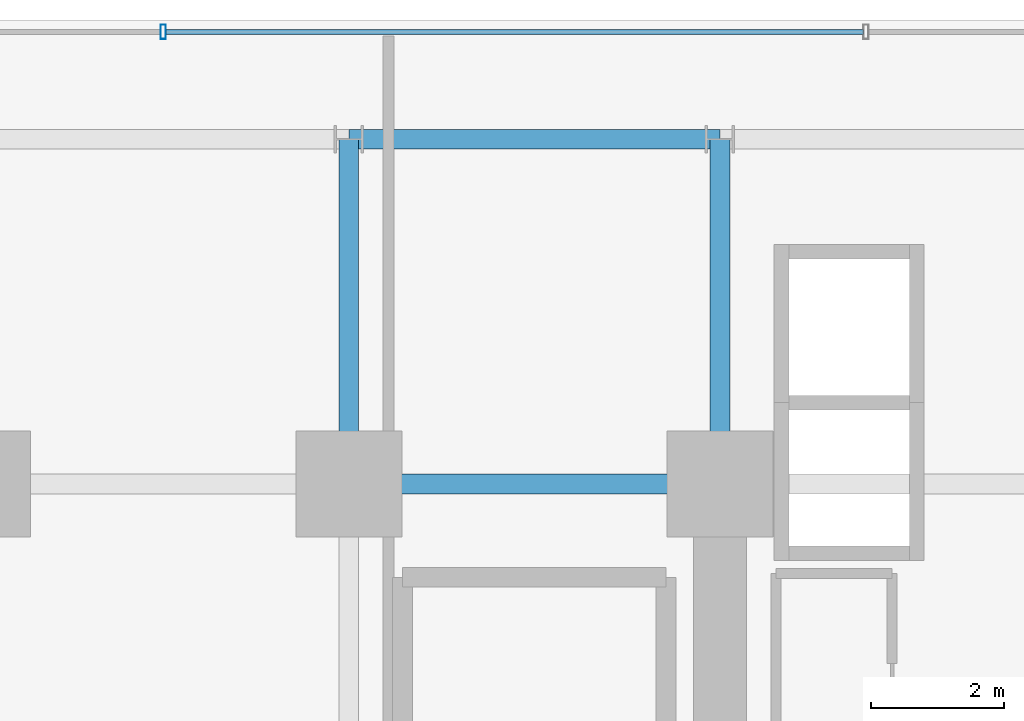
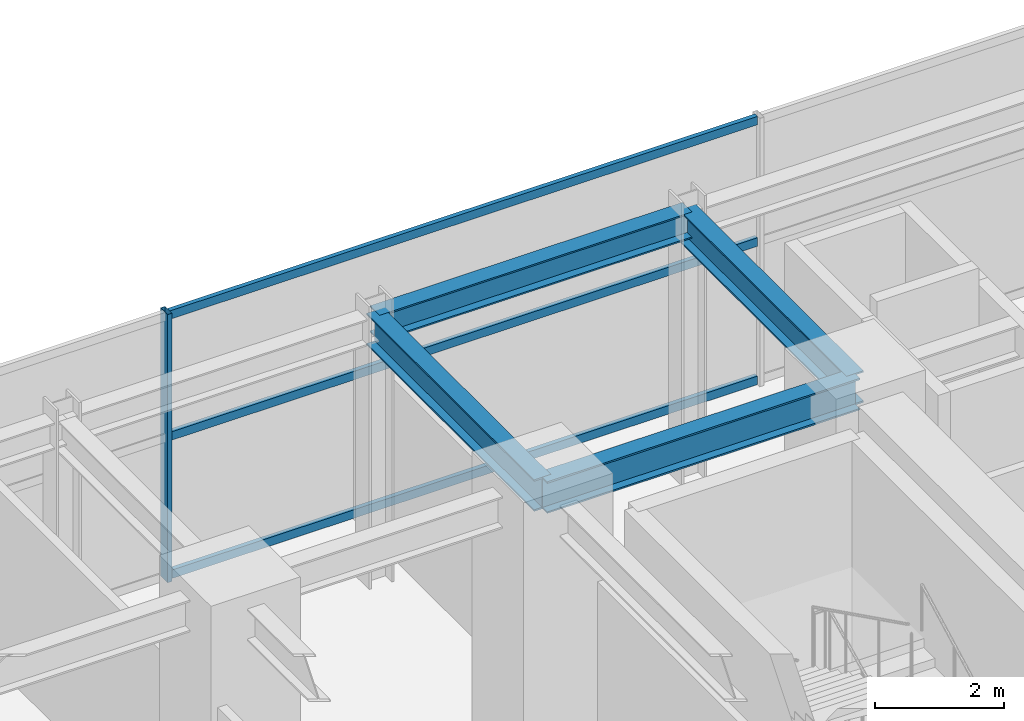
# One storey, part 18 of 32: 4 beams, 4 members, 1 element without a shape of its own.
"""IFC4 building model written with IfcOpenShell, lengths in metres."""

import ifcopenshell
import ifcopenshell.guid

model = None  # the IFC model being written
_history = None  # IfcOwnerHistory: only IFC2X3 demands one
_inside = {}  # id of a spatial element -> (the spatial element, [elements in it])
_under = {}  # id of a project, library or spatial element -> (it, [spatial elements below it])
_declared = {}  # id of a project -> (the project, [libraries it declares])
_typed = {}  # id of a type object -> (the type object, [elements of that type])
_made_of = {}  # id of a material, layer set ... -> (it, [elements and type objects made of it])


def new_model(schema):
    """Start an empty IFC model of exactly this schema.

    Asked for "IFC4X3", IfcOpenShell would pick the latest addendum, in which some entities
    have other attributes; the version numbers below select the first issue.
    IFC2X3 requires an IfcOwnerHistory on every rooted entity: one is made here for all.
    """
    global model, _history
    if schema == "IFC4X3":
        model = ifcopenshell.file(schema_version=(4, 3, 0, 0))
    else:
        model = ifcopenshell.file(schema=schema)
    _inside.clear()
    _under.clear()
    _declared.clear()
    _typed.clear()
    _made_of.clear()
    _history = None
    if model.schema == "IFC2X3":
        org = make("IfcOrganization", Name="unknown")
        user = make(
            "IfcPersonAndOrganization",
            ThePerson=make("IfcPerson", FamilyName="unknown"),
            TheOrganization=org,
        )
        app = make(
            "IfcApplication",
            ApplicationDeveloper=org,
            Version="unknown",
            ApplicationFullName="unknown",
            ApplicationIdentifier="unknown",
        )
        _history = make(
            "IfcOwnerHistory",
            OwningUser=user,
            OwningApplication=app,
            ChangeAction="ADDED",
            CreationDate=0,
        )
    return model


def make(cls, **values):
    """One entity of the class cls with the attributes given. An attribute that is None is left unset."""
    return model.create_entity(
        cls, **{name: value for name, value in values.items() if value is not None}
    )


def rooted(cls, **values):
    """An entity with a GlobalId (a new one), such as an element, a storey or a relation."""
    return make(cls, GlobalId=ifcopenshell.guid.new(), OwnerHistory=_history, **values)


def si_unit(unit_type, name, prefix=None):
    """IfcSIUnit, for example si_unit("LENGTHUNIT", "METRE", prefix="MILLI")."""
    return make("IfcSIUnit", UnitType=unit_type, Prefix=prefix, Name=name)


def assignment(units):
    """IfcUnitAssignment: the units of a project."""
    return None if units is None else make("IfcUnitAssignment", Units=units)


def point(xyz):
    """IfcCartesianPoint."""
    return None if xyz is None else make("IfcCartesianPoint", Coordinates=xyz)


def direction(xyz):
    """IfcDirection."""
    return None if xyz is None else make("IfcDirection", DirectionRatios=xyz)


def frame(location, z_axis=None, x_axis=None):
    """IfcAxis2Placement3D, a coordinate frame: its origin and axes. An axis left out is left unset."""
    return make(
        "IfcAxis2Placement3D",
        Location=point(location),
        Axis=direction(z_axis),
        RefDirection=direction(x_axis),
    )


def frame_2d(location, x_axis=None):
    """IfcAxis2Placement2D, a coordinate frame in the plane: its origin and x axis."""
    return make(
        "IfcAxis2Placement2D", Location=point(location), RefDirection=direction(x_axis)
    )


def origin():
    """The frame at (0, 0, 0) with its axes left unset."""
    return frame((0.0, 0.0, 0.0))


def origin_2d():
    """The frame at (0, 0) in the plane with its x axis left unset."""
    return frame_2d((0.0, 0.0))


def place(relative_to, where):
    """IfcLocalPlacement: puts the frame where relative to a parent placement (None: the world)."""
    return make(
        "IfcLocalPlacement", PlacementRelTo=relative_to, RelativePlacement=where
    )


def context(
    kind, dimensions, precision=None, world=None, true_north=None, identifier=None
):
    """IfcGeometricRepresentationContext, for example the 3D "Model" context."""
    return make(
        "IfcGeometricRepresentationContext",
        ContextIdentifier=identifier,
        ContextType=kind,
        CoordinateSpaceDimension=dimensions,
        Precision=precision,
        WorldCoordinateSystem=world,
        TrueNorth=true_north,
    )


def subcontext(parent, identifier, kind, view, scale=None):
    """IfcGeometricRepresentationSubContext, for example "Body" below "Model"."""
    return make(
        "IfcGeometricRepresentationSubContext",
        ContextIdentifier=identifier,
        ContextType=kind,
        ParentContext=parent,
        TargetScale=scale,
        TargetView=view,
    )


def project(units=None, contexts=None):
    """IfcProject with its units and contexts."""
    return rooted(
        "IfcProject",
        Name="project",
        RepresentationContexts=contexts,
        UnitsInContext=assignment(units),
    )


def spatial(cls, under=None, at=None, **own):
    """A site, building, storey or space (cls), placed at a placement, below another one or the project."""
    s = rooted(cls, ObjectPlacement=at, **own)
    if under is not None:
        _under.setdefault(under.id(), (under, []))[1].append(s)
    return s


def profile(cls, at=None, kind="AREA", **sizes):
    """A parametric profile (cls). Its sizes go by their IFC names, for example OverallWidth=200.0."""
    return make(cls, ProfileType=kind, Position=at, **sizes)


def hollow_rectangle(**sizes):
    """IfcRectangleHollowProfileDef."""
    return profile("IfcRectangleHollowProfileDef", **sizes)


def i_section(**sizes):
    """IfcIShapeProfileDef."""
    return profile("IfcIShapeProfileDef", **sizes)


def extrude(swept, where, along, depth):
    """IfcExtrudedAreaSolid: the profile swept, set in the frame where, extruded along a direction by depth."""
    return make(
        "IfcExtrudedAreaSolid",
        SweptArea=swept,
        Position=where,
        ExtrudedDirection=direction(along),
        Depth=depth,
    )


def shape(context_of_items, identifier, shape_type, items):
    """IfcShapeRepresentation: the items that make up one representation, for example the "Body"."""
    return make(
        "IfcShapeRepresentation",
        ContextOfItems=context_of_items,
        RepresentationIdentifier=identifier,
        RepresentationType=shape_type,
        Items=items,
    )


def source(mapping_origin, context_of_items, identifier, shape_type, items):
    """IfcRepresentationMap: a shape defined once, which mapped items show again and again."""
    return make(
        "IfcRepresentationMap",
        MappingOrigin=mapping_origin,
        MappedRepresentation=shape(context_of_items, identifier, shape_type, items),
    )


def transform(
    local_origin,
    x_axis=None,
    y_axis=None,
    z_axis=None,
    scale=None,
    scale2=None,
    scale3=None,
    uniform=True,
):
    """IfcCartesianTransformationOperator3D, or its non-uniform kind. x_axis, y_axis, z_axis: its Axis1, 2, 3."""
    if uniform:
        return make(
            "IfcCartesianTransformationOperator3D",
            Axis1=direction(x_axis),
            Axis2=direction(y_axis),
            LocalOrigin=point(local_origin),
            Scale=scale,
            Axis3=direction(z_axis),
        )
    return make(
        "IfcCartesianTransformationOperator3DnonUniform",
        Axis1=direction(x_axis),
        Axis2=direction(y_axis),
        LocalOrigin=point(local_origin),
        Scale=scale,
        Axis3=direction(z_axis),
        Scale2=scale2,
        Scale3=scale3,
    )


def mapped(mapping_source, mapping_target):
    """IfcMappedItem: shows the shape of a source again, moved by a transform."""
    return make(
        "IfcMappedItem", MappingSource=mapping_source, MappingTarget=mapping_target
    )


def material(Name=None, Category=None):
    """IfcMaterial."""
    return make("IfcMaterial", Name=Name, Category=Category)


def material_profile(
    of_material, cross_section, Name=None, Category=None, Priority=None
):
    """IfcMaterialProfile: a cross section and its material."""
    return make(
        "IfcMaterialProfile",
        Name=Name,
        Material=of_material,
        Profile=cross_section,
        Priority=Priority,
        Category=Category,
    )


def profile_set(profiles, Name=None, composite=None):
    """IfcMaterialProfileSet."""
    return make(
        "IfcMaterialProfileSet",
        Name=Name,
        MaterialProfiles=profiles,
        CompositeProfile=composite,
    )


def made_of(thing, what):
    """Note that an element or type object is made of a material, layer set ...; save() writes the relation."""
    if what is not None:
        _made_of.setdefault(what.id(), (what, []))[1].append(thing)
    return thing


def type_object(cls, material=None, **own):
    """A type object (cls), such as IfcWallType, which elements share."""
    return made_of(rooted(cls, **own), material)


def element(
    cls,
    number,
    at=None,
    inside=None,
    cuts=None,
    type_object=None,
    material=None,
    context=None,
    identifier="Body",
    shape_type=None,
    held_by="IfcProductDefinitionShape",
    body=None,
    shapes=None,
    **own,
):
    """One element of the class cls, such as IfcWall. Its Tag is "e" and its number.

    at: its placement. inside: the storey or other place that contains it. cuts: it is an
    opening in that element (IfcRelVoidsElement). A single representation is given by context,
    identifier, shape_type and body (its items); several are given by shapes. held_by: the class
    of the entity that holds the representations. save() writes the other relations.
    """
    e = rooted(cls, Tag="e%d" % number, ObjectPlacement=at, **own)
    if body is not None:
        shapes = [shape(context, identifier, shape_type, body)]
    if shapes is not None:
        e.Representation = make(held_by, Representations=shapes)
    if inside is not None:
        _inside.setdefault(inside.id(), (inside, []))[1].append(e)
    if cuts is not None:
        rooted(
            "IfcRelVoidsElement", RelatingBuildingElement=cuts, RelatedOpeningElement=e
        )
    if type_object is not None:
        _typed.setdefault(type_object.id(), (type_object, []))[1].append(e)
    return made_of(e, material)


def aggregate(whole, parts):
    """IfcRelAggregates: a whole, such as a stair, and the parts it consists of."""
    return rooted("IfcRelAggregates", RelatingObject=whole, RelatedObjects=parts)


def save(model, path):
    """Write the relations noted so far, then the file.

    IfcRelAggregates (storeys below a building ...), IfcRelContainedInSpatialStructure (elements
    in a storey), IfcRelDefinesByType, IfcRelAssociatesMaterial and IfcRelDeclares: one each for
    every whole, place, type object, material and project.
    """
    for whole, parts in _under.values():
        aggregate(whole, parts)
    for where, things in _inside.values():
        rooted(
            "IfcRelContainedInSpatialStructure",
            RelatedElements=things,
            RelatingStructure=where,
        )
    for kind, things in _typed.values():
        rooted("IfcRelDefinesByType", RelatedObjects=things, RelatingType=kind)
    for what, things in _made_of.values():
        rooted("IfcRelAssociatesMaterial", RelatedObjects=things, RelatingMaterial=what)
    for by, libraries in _declared.values():
        rooted("IfcRelDeclares", RelatingContext=by, RelatedDefinitions=libraries)
    model.write(path)


model = new_model("IFC4")

# Units and contexts
model_context = context("Model", 3, precision=1e-05, world=origin(), true_north=direction((0.0, 1.0)))
body_context = subcontext(model_context, "Body", "Model", "MODEL_VIEW")
ifc_project = project(units=[si_unit("LENGTHUNIT", "METRE"), si_unit("AREAUNIT", "SQUARE_METRE"), si_unit("VOLUMEUNIT", "CUBIC_METRE"), si_unit("PLANEANGLEUNIT", "RADIAN"), si_unit("MASSUNIT", "GRAM", prefix="KILO")], contexts=[model_context])

# Site, building, storey
site_placement = place(None, origin())
site = spatial("IfcSite", under=ifc_project, at=site_placement, CompositionType="ELEMENT")
building_placement = place(site_placement, origin())
building = spatial("IfcBuilding", under=site, at=building_placement, Name="Nahalor Promenade Grand Hotel", CompositionType="ELEMENT")
storey_placement = place(building_placement, frame((0.0, 0.0, 5.39990234375)))
storey = spatial("IfcBuildingStorey", under=building, at=storey_placement, Name="L01", CompositionType="ELEMENT", Elevation=5.39990234375)

# Beams
ifc_material_1 = material(Name="Steel S355JR", Category="steel")
ifc_material_profile_1 = material_profile(ifc_material_1, i_section(OverallWidth=0.3, OverallDepth=0.6, WebThickness=0.0155, FlangeThickness=0.03, at=origin_2d()), Name="HEB 600")
ifc_profile_set_1 = profile_set([ifc_material_profile_1], Name="Steel S355JR")
beam_type_1 = type_object("IfcBeamType", Name="Beam-Girder-HEB600", PredefinedType="BEAM", material=ifc_profile_set_1)
shared_shape_1 = source(origin(), body_context, "Body", "SweptSolid", [
    extrude(i_section(OverallWidth=0.3, OverallDepth=0.6, WebThickness=0.0155, FlangeThickness=0.03, at=origin_2d()), origin(), (0.0, 0.0, 1.0), 5.599853515625),
])
beam_1_placement = place(storey_placement, frame((2.800048828125, 17.0, 4.780029296875), z_axis=(1.0, 0.0, 0.0), x_axis=(0.0, 1.0, 0.0)))
element("IfcBeam", 1, at=beam_1_placement, inside=storey, type_object=beam_type_1, Name="BM-L01-GX-3-5", PredefinedType="BEAM", context=body_context, shape_type="MappedRepresentation", body=[
    mapped(shared_shape_1, transform((0.0, 0.0, 0.0), scale=1.0)),
])
shared_shape_2 = source(origin(), body_context, "Body", "SweptSolid", [
    extrude(i_section(OverallWidth=0.3, OverallDepth=0.6, WebThickness=0.0155, FlangeThickness=0.03, at=origin_2d()), origin(), (0.0, 0.0, 1.0), 5.199951171875),
])
for number, where, z_axis, x_axis, name in (
    (2, (2.800048828125, 17.0, 4.780029296875), (0.0, 1.0, 0.0), (-1.0, 0.0, 0.0), "BM-L01-GY-3-4"),
    (3, (8.39990234375, 17.0, 4.780029296875), (0.0, 1.0, 0.0), (-1.0, 0.0, 0.0), "BM-L01-GY-4-4"),
):
    element("IfcBeam", number, at=place(storey_placement, frame(where, z_axis=z_axis, x_axis=x_axis)), inside=storey, type_object=beam_type_1, Name=name, PredefinedType="BEAM", context=body_context, shape_type="MappedRepresentation", body=[
        mapped(shared_shape_2, transform((0.0, 0.0, 0.0), scale=1.0)),
    ])
ifc_material_profile_2 = material_profile(ifc_material_1, i_section(OverallWidth=0.3, OverallDepth=0.5, WebThickness=0.0145, FlangeThickness=0.028, at=origin_2d()), Name="HEB 500")
ifc_profile_set_2 = profile_set([ifc_material_profile_2], Name="Steel S355JR")
beam_type_2 = type_object("IfcBeamType", Name="Beam-Spandrel-HEB500", PredefinedType="SPANDREL", material=ifc_profile_set_2)
shared_shape_3 = source(origin(), body_context, "Body", "SweptSolid", [
    extrude(i_section(OverallWidth=0.3, OverallDepth=0.5, WebThickness=0.0145, FlangeThickness=0.028, at=origin_2d()), origin(), (0.0, 0.0, 1.0), 5.599853515625),
])
beam_2_placement = place(storey_placement, frame((2.800048828125, 22.199951171875, 4.830078125), z_axis=(1.0, 0.0, 0.0), x_axis=(0.0, 1.0, 0.0)))
element("IfcBeam", 4, at=beam_2_placement, inside=storey, type_object=beam_type_2, Name="BM-L01-SP-N-3", PredefinedType="SPANDREL", context=body_context, shape_type="MappedRepresentation", body=[
    mapped(shared_shape_3, transform((0.0, 0.0, 0.0), scale=1.0)),
])

# Curtain wall, members
ifc_material_2 = material(Name="Anodised Bronze Aluminium EN AW-6063 T6", Category="aluminium")
curtain_wall_type = type_object("IfcCurtainWallType", Name="CW1 Waterfront Podium Bronze Arcade Curtain Wall", PredefinedType="USERDEFINED", material=ifc_material_2)
curtain_wall_placement = place(storey_placement, origin())
curtain_wall = element("IfcCurtainWall", 5, at=curtain_wall_placement, inside=storey, type_object=curtain_wall_type, Name="L01 Curtain Wall CW-L01-N", ObjectType="UNITISED_CURTAIN_WALL", PredefinedType="USERDEFINED")
ifc_material_profile_3 = material_profile(ifc_material_2, hollow_rectangle(XDim=0.08, YDim=0.22, WallThickness=0.005, at=origin_2d()), Name="CWM 80x220x5")
ifc_profile_set_3 = profile_set([ifc_material_profile_3], Name="Anodised Bronze Aluminium EN AW-6063 T6")
member_type_1 = type_object("IfcMemberType", Name="CWM1 Podium Bronze Mullion 80x220", PredefinedType="MULLION", material=ifc_profile_set_3)
shared_shape_4 = source(origin(), body_context, "Body", "SweptSolid", [
    extrude(hollow_rectangle(XDim=0.08, YDim=0.22, WallThickness=0.005, at=origin_2d()), origin(), (0.0, 0.0, 1.0), 5.080078125),
])
member_1_placement = place(storey_placement, frame((0.0, 23.820068359375, 0.0), z_axis=(0.0, 0.0, 1.0), x_axis=(1.0, 0.0, 0.0)))
member_1 = element("IfcMember", 6, at=member_1_placement, type_object=member_type_1, Name="CW-L01-N Mullion 3", PredefinedType="MULLION", context=body_context, shape_type="MappedRepresentation", body=[
    mapped(shared_shape_4, transform((0.0, 0.0, 0.0), scale=1.0)),
])
ifc_material_profile_4 = material_profile(ifc_material_2, hollow_rectangle(XDim=0.08, YDim=0.16, WallThickness=0.004, at=origin_2d()), Name="CWT 80x160x4")
ifc_profile_set_4 = profile_set([ifc_material_profile_4], Name="Anodised Bronze Aluminium EN AW-6063 T6")
member_type_2 = type_object("IfcMemberType", Name="CWT1 Podium Bronze Transom 80x160", PredefinedType="USERDEFINED", material=ifc_profile_set_4)
shared_shape_5 = source(origin(), body_context, "Body", "SweptSolid", [
    extrude(hollow_rectangle(XDim=0.08, YDim=0.16, WallThickness=0.004, at=origin_2d()), origin(), (0.0, 0.0, 1.0), 10.526611328125),
])
member_2_placement = place(storey_placement, frame((0.0400390625, 23.820068359375, 0.080078125), z_axis=(1.0, 0.0, 0.0), x_axis=(0.0, 1.0, 0.0)))
member_2 = element("IfcMember", 7, at=member_2_placement, type_object=member_type_2, Name="CW-L01-N Transom 3-0", ObjectType="TRANSOM", PredefinedType="USERDEFINED", context=body_context, shape_type="MappedRepresentation", body=[
    mapped(shared_shape_5, transform((0.0, 0.0, 0.0), scale=1.0)),
])
member_3_placement = place(storey_placement, frame((0.0400390625, 23.820068359375, 2.7001953125), z_axis=(1.0, 0.0, 0.0), x_axis=(0.0, 1.0, 0.0)))
member_3 = element("IfcMember", 8, at=member_3_placement, type_object=member_type_2, Name="CW-L01-N Transom 3-1", ObjectType="TRANSOM", PredefinedType="USERDEFINED", context=body_context, shape_type="MappedRepresentation", body=[
    mapped(shared_shape_5, transform((0.0, 0.0, 0.0), scale=1.0)),
])
member_4_placement = place(storey_placement, frame((0.0400390625, 23.820068359375, 5.0), z_axis=(1.0, 0.0, 0.0), x_axis=(0.0, 1.0, 0.0)))
member_4 = element("IfcMember", 9, at=member_4_placement, type_object=member_type_2, Name="CW-L01-N Transom 3-2", ObjectType="TRANSOM", PredefinedType="USERDEFINED", context=body_context, shape_type="MappedRepresentation", body=[
    mapped(shared_shape_5, transform((0.0, 0.0, 0.0), scale=1.0)),
])
aggregate(curtain_wall, [member_1, member_2, member_3, member_4])

save(model, "model.ifc")
